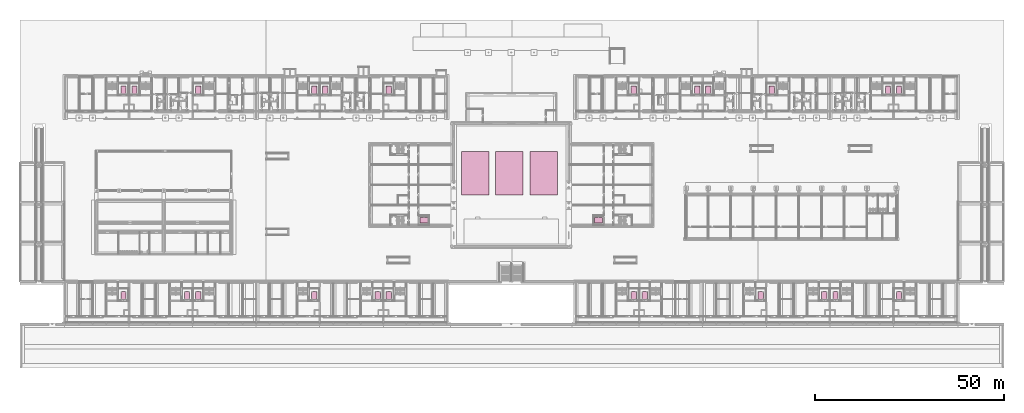
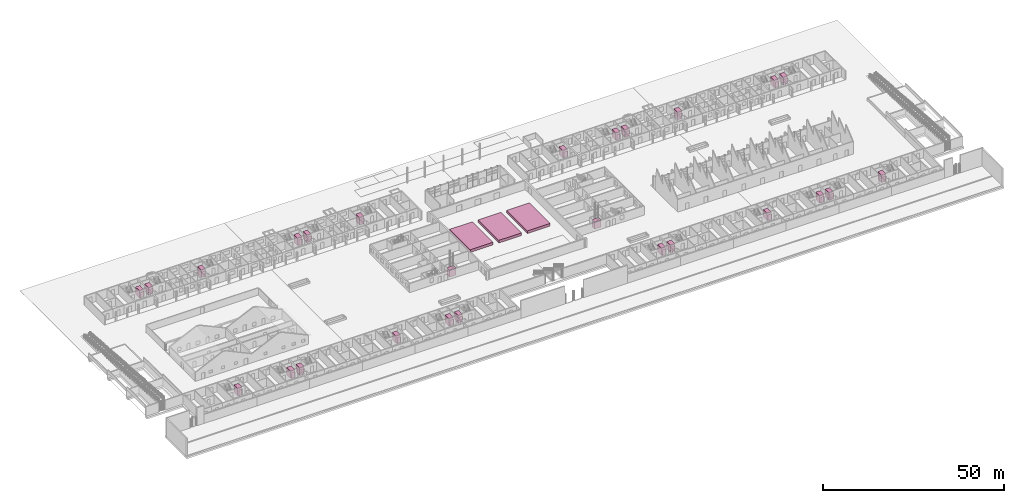
# One storey, part 112 of 112: 26 transport elements, 3 furniture elements.
"""IFC4 building model written with IfcOpenShell, lengths in metres."""

from ifc_helpers import new_model, si_unit, direction, frame, origin, origin_2d, place, context, subcontext, project, spatial, rectangle, extrude, material, type_object, element, save


model = new_model("IFC4")

# Units and contexts
model_context = context("Model", 3, precision=1e-05, world=origin(), true_north=direction((0.0, 1.0)))
body_context = subcontext(model_context, "Body", "Model", "MODEL_VIEW")
ifc_project = project(units=[si_unit("LENGTHUNIT", "METRE"), si_unit("AREAUNIT", "SQUARE_METRE"), si_unit("VOLUMEUNIT", "CUBIC_METRE"), si_unit("PLANEANGLEUNIT", "RADIAN"), si_unit("MASSUNIT", "GRAM", prefix="KILO")], contexts=[model_context])

# Site, building, storey
site_placement = place(None, origin())
site = spatial("IfcSite", under=ifc_project, at=site_placement, CompositionType="ELEMENT")
building_placement = place(site_placement, origin())
building = spatial("IfcBuilding", under=site, at=building_placement, Name="Ridgestep Commons", CompositionType="ELEMENT")
storey_placement = place(building_placement, origin())
storey = spatial("IfcBuildingStorey", under=building, at=storey_placement, Name="L00", CompositionType="ELEMENT", Elevation=0.0)

# Transport elements
ifc_material_1 = material(Name="Steel", Category="steel")
transport_element_type_1 = type_object("IfcTransportElementType", Name="Lift car", PredefinedType="ELEVATOR", material=ifc_material_1)
for number, where, z_axis, x_axis, name in (
    (1, (106.72509765625, 39.050048828125, 0.0), (0.0, 0.0, 1.0), (1.0, 0.0, 0.0), "Passenger lift"),
    (2, (152.875, 39.050048828125, 0.0), (0.0, 0.0, 1.0), (1.0, 0.0, 0.0), "Passenger lift"),
):
    element("IfcTransportElement", number, at=place(storey_placement, frame(where, z_axis=z_axis, x_axis=x_axis)), inside=storey, type_object=transport_element_type_1, Name=name, PredefinedType="ELEVATOR", context=body_context, shape_type="SweptSolid", body=[
        extrude(rectangle(XDim=2.10009765625, YDim=1.39990234375, at=origin_2d()), origin(), (0.0, 0.0, 1.0), 2.39990234375),
    ])
ifc_material_2 = material(Name="Stainless steel", Category="steel")
transport_element_type_2 = type_object("IfcTransportElementType", Name="Passenger lift 1400 x 2100", PredefinedType="ELEVATOR", material=ifc_material_2)
for number, where, z_axis, x_axis, name in (
    (3, (27.33740234375, 19.199951171875, 0.0), (0.0, 0.0, 1.0), (1.0, 0.0, 0.0), "Lift A1C"),
    (4, (44.137451171875, 19.199951171875, 0.0), (0.0, 0.0, 1.0), (1.0, 0.0, 0.0), "Lift A2C"),
    (5, (47.0625, 19.199951171875, 0.0), (0.0, 0.0, 1.0), (1.0, 0.0, 0.0), "Lift A3C"),
    (6, (77.737548828125, 19.199951171875, 0.0), (0.0, 0.0, 1.0), (1.0, 0.0, 0.0), "Lift A4C"),
    (7, (94.53759765625, 19.199951171875, 0.0), (0.0, 0.0, 1.0), (1.0, 0.0, 0.0), "Lift A5C"),
    (8, (97.46240234375, 19.199951171875, 0.0), (0.0, 0.0, 1.0), (1.0, 0.0, 0.0), "Lift A6C"),
    (9, (27.33740234375, 73.449951171875, 0.0), (0.0, 0.0, 1.0), (1.0, 0.0, 0.0), "Lift B1C"),
    (10, (30.262451171875, 73.449951171875, 0.0), (0.0, 0.0, 1.0), (1.0, 0.0, 0.0), "Lift B2C"),
    (11, (47.0625, 73.449951171875, 0.0), (0.0, 0.0, 1.0), (1.0, 0.0, 0.0), "Lift B3C"),
    (12, (77.737548828125, 73.449951171875, 0.0), (0.0, 0.0, 1.0), (1.0, 0.0, 0.0), "Lift B4C"),
    (13, (80.66259765625, 73.449951171875, 0.0), (0.0, 0.0, 1.0), (1.0, 0.0, 0.0), "Lift B5C"),
    (14, (97.46240234375, 73.449951171875, 0.0), (0.0, 0.0, 1.0), (1.0, 0.0, 0.0), "Lift B6C"),
    (15, (162.137451171875, 73.449951171875, 0.0), (0.0, 0.0, 1.0), (1.0, 0.0, 0.0), "Lift C1C"),
    (16, (178.9375, 73.449951171875, 0.0), (0.0, 0.0, 1.0), (1.0, 0.0, 0.0), "Lift C2C"),
    (17, (181.862548828125, 73.449951171875, 0.0), (0.0, 0.0, 1.0), (1.0, 0.0, 0.0), "Lift C3C"),
    (18, (198.66259765625, 73.449951171875, 0.0), (0.0, 0.0, 1.0), (1.0, 0.0, 0.0), "Lift C4C"),
    (19, (229.33740234375, 73.449951171875, 0.0), (0.0, 0.0, 1.0), (1.0, 0.0, 0.0), "Lift C5C"),
    (20, (232.262451171875, 73.449951171875, 0.0), (0.0, 0.0, 1.0), (1.0, 0.0, 0.0), "Lift C6C"),
    (21, (162.137451171875, 19.199951171875, 0.0), (0.0, 0.0, 1.0), (1.0, 0.0, 0.0), "Lift D1C"),
    (22, (165.0625, 19.199951171875, 0.0), (0.0, 0.0, 1.0), (1.0, 0.0, 0.0), "Lift D2C"),
    (23, (195.737548828125, 19.199951171875, 0.0), (0.0, 0.0, 1.0), (1.0, 0.0, 0.0), "Lift D3C"),
    (24, (212.53759765625, 19.199951171875, 0.0), (0.0, 0.0, 1.0), (1.0, 0.0, 0.0), "Lift D4C"),
    (25, (215.46240234375, 19.199951171875, 0.0), (0.0, 0.0, 1.0), (1.0, 0.0, 0.0), "Lift D5C"),
    (26, (232.262451171875, 19.199951171875, 0.0), (0.0, 0.0, 1.0), (1.0, 0.0, 0.0), "Lift D6C"),
):
    element("IfcTransportElement", number, at=place(storey_placement, frame(where, z_axis=z_axis, x_axis=x_axis)), inside=storey, type_object=transport_element_type_2, Name=name, PredefinedType="ELEVATOR", context=body_context, shape_type="SweptSolid", body=[
        extrude(rectangle(XDim=1.39990234375, YDim=2.10009765625, at=origin_2d()), origin(), (0.0, 0.0, 1.0), 2.5),
    ])

# Furniture
for number, where, z_axis, x_axis, name in (
    (27, (120.239990234375, 51.5, 0.0), (0.0, 0.0, 1.0), (1.0, 0.0, 0.0), "Fixed seating block"),
    (28, (129.320068359375, 51.5, 0.0), (0.0, 0.0, 1.0), (1.0, 0.0, 0.0), "Fixed seating block"),
    (29, (138.39990234375, 51.5, 0.0), (0.0, 0.0, 1.0), (1.0, 0.0, 0.0), "Fixed seating block"),
):
    element("IfcFurniture", number, at=place(storey_placement, frame(where, z_axis=z_axis, x_axis=x_axis)), inside=storey, Name=name, PredefinedType="NOTDEFINED", context=body_context, shape_type="SweptSolid", body=[
        extrude(rectangle(XDim=7.280029296875, YDim=11.39990234375, at=origin_2d()), origin(), (0.0, 0.0, 1.0), 0.89990234375),
    ])

save(model, "model.ifc")
